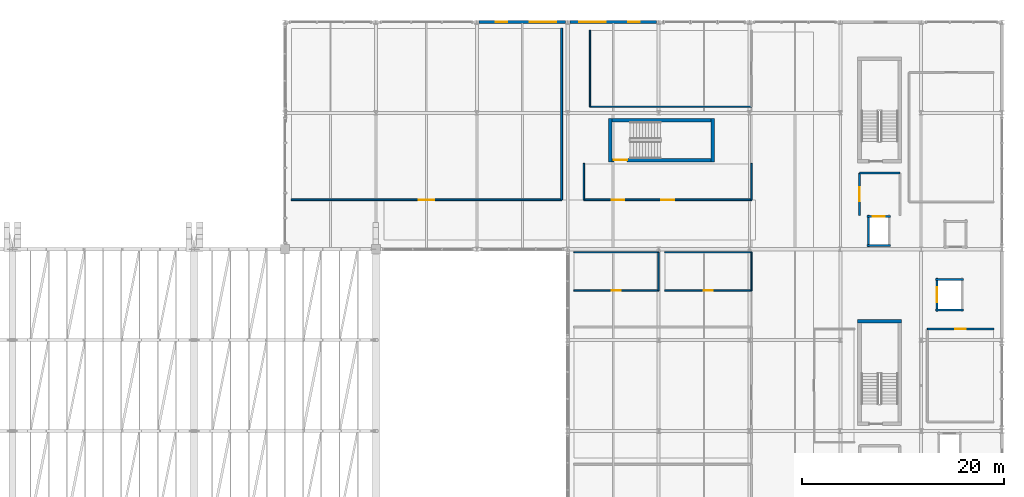
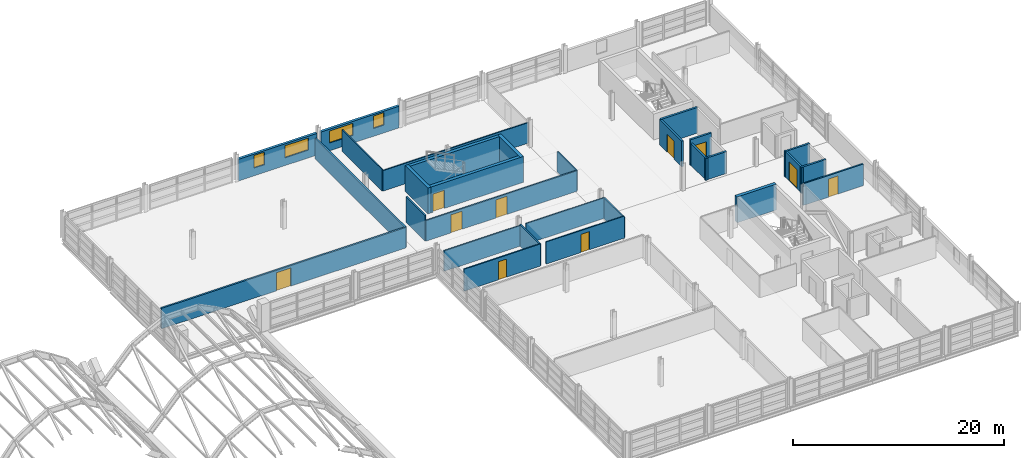
# One storey, part 79 of 86: 29 walls, 10 doors, 4 windows, 14 openings.
"""IFC4 building model written with IfcOpenShell, lengths in metres."""

from ifc_helpers import new_model, si_unit, direction, frame, frame_2d, origin, place, context, subcontext, project, spatial, rectangle, extrude, material, layer, layer_set, type_object, element, fill, save


model = new_model("IFC4")

# Units and contexts
model_context = context("Model", 3, precision=1e-05, world=origin(), true_north=direction((0.0, 1.0)))
body_context = subcontext(model_context, "Body", "Model", "MODEL_VIEW")
ifc_project = project(units=[si_unit("LENGTHUNIT", "METRE"), si_unit("AREAUNIT", "SQUARE_METRE"), si_unit("VOLUMEUNIT", "CUBIC_METRE"), si_unit("PLANEANGLEUNIT", "RADIAN"), si_unit("MASSUNIT", "GRAM", prefix="KILO")], contexts=[model_context])

# Site, building, storey
site_placement = place(None, origin())
site = spatial("IfcSite", under=ifc_project, at=site_placement, CompositionType="ELEMENT")
building_placement = place(site_placement, origin())
building = spatial("IfcBuilding", under=site, at=building_placement, Name="Chuanluo Vaults Station", CompositionType="ELEMENT")
storey_placement = place(building_placement, frame((0.0, 0.0, 14.39990234375)))
storey = spatial("IfcBuildingStorey", under=building, at=storey_placement, Name="L03", CompositionType="ELEMENT", Elevation=14.39990234375)

# Wall
ifc_material_1 = material(Name="Concrete C50", Category="concrete")
ifc_layer_1 = layer(ifc_material_1, 0.35009765625)
ifc_layer_set_1 = layer_set([ifc_layer_1], Name="Concrete C50")
wall_type_1 = type_object("IfcWallType", Name="WL-COR-350", PredefinedType="SHEAR", material=ifc_layer_set_1)
wall_1_placement = place(storey_placement, frame((178.03759765625, 96.347412109375, 0.0), z_axis=(0.0, 0.0, 1.0), x_axis=(-1.0, 0.0, 0.0)))
element("IfcWall", 1, at=wall_1_placement, inside=storey, type_object=wall_type_1, Name="Core K1 far shear wall", PredefinedType="SHEAR", context=body_context, shape_type="SweptSolid", body=[
    extrude(rectangle(XDim=4.320068359375, YDim=0.35009765625, at=frame_2d((2.16015625, 0.0))), origin(), (0.0, 0.0, 1.0), 3.0),
])

# Wall, opening, door
wall_2_placement = place(storey_placement, frame((149.02490234375, 112.324951171875, 0.0), z_axis=(0.0, 0.0, 1.0), x_axis=(1.0, 0.0, 0.0)))
wall_2 = element("IfcWall", 2, at=wall_2_placement, inside=storey, type_object=wall_type_1, Name="Core K3 left shear wall", PredefinedType="SHEAR", context=body_context, shape_type="SweptSolid", body=[
    extrude(rectangle(XDim=10.49755859375, YDim=0.35009765625, at=frame_2d((5.248779296875, 0.0))), origin(), (0.0, 0.0, 1.0), 3.0),
])
opening_1_placement = place(wall_2_placement, frame((0.550048828125, 0.0, 0.0)))
opening_1 = element("IfcOpeningElement", 3, at=opening_1_placement, cuts=wall_2, Name="Opening FD-05", PredefinedType="OPENING", context=body_context, shape_type="SweptSolid", body=[
    extrude(rectangle(XDim=1.300048828125, YDim=2.10009765625, at=frame_2d((0.64990234375, 1.050048828125))), frame((0.0, 0.18505, 0.0), z_axis=(0.0, -1.0, 0.0), x_axis=(1.0, 0.0, 0.0)), (0.0, 0.0, 1.0), 0.3701),
])
ifc_material_2 = material(Name="Fire-rated steel leaf", Category="steel")
door_type_1 = type_object("IfcDoorType", Name="DR-FIR-1300x2100", OperationType="NOTDEFINED", PredefinedType="DOOR", material=ifc_material_2)
door_1_placement = place(opening_1_placement, origin())
door_1 = element("IfcDoor", 4, at=door_1_placement, inside=storey, type_object=door_type_1, Name="D-076 Stair ST-03 fire door", OperationType="SINGLE_SWING_LEFT", OverallHeight=2.10009765625, OverallWidth=1.300048828125, PredefinedType="DOOR", context=body_context, shape_type="SweptSolid", body=[
    extrude(rectangle(XDim=1.300048828125, YDim=2.10009765625, at=frame_2d((0.64990234375, 1.050048828125))), frame((0.0, 0.02490234375, 0.0), z_axis=(0.0, -1.0, 0.0), x_axis=(1.0, 0.0, 0.0)), (0.0, 0.0, 1.0), 0.050048828125),
])
fill(opening_1, door_1)

# Walls
wall_3_placement = place(storey_placement, frame((159.5224609375, 116.294921875, 0.0), z_axis=(0.0, 0.0, 1.0), x_axis=(-1.0, 0.0, 0.0)))
element("IfcWall", 5, at=wall_3_placement, inside=storey, type_object=wall_type_1, Name="Core K3 right shear wall", PredefinedType="SHEAR", context=body_context, shape_type="SweptSolid", body=[
    extrude(rectangle(XDim=10.49755859375, YDim=0.35009765625, at=frame_2d((5.248779296875, 0.0))), origin(), (0.0, 0.0, 1.0), 3.0),
])
for number, where, z_axis, x_axis, name in (
    (6, (159.347412109375, 112.14990234375, 0.0), (0.0, 0.0, 1.0), (0.0, 1.0, 0.0), "Core K3 far shear wall"),
    (7, (149.199951171875, 116.469970703125, 0.0), (0.0, 0.0, 1.0), (0.0, -1.0, 0.0), "Core K3 near shear wall"),
):
    element("IfcWall", number, at=place(storey_placement, frame(where, z_axis=z_axis, x_axis=x_axis)), inside=storey, type_object=wall_type_1, Name=name, PredefinedType="SHEAR", context=body_context, shape_type="SweptSolid", body=[
        extrude(rectangle(XDim=4.320068359375, YDim=0.35009765625, at=frame_2d((2.16015625, 0.0))), origin(), (0.0, 0.0, 1.0), 3.0),
    ])

# Wall, openings, windows
ifc_material_3 = material(Name="Concrete C40", Category="concrete")
ifc_layer_2 = layer(ifc_material_3, 0.280029296875)
ifc_layer_set_2 = layer_set([ifc_layer_2], Name="Concrete C40")
wall_type_2 = type_object("IfcWallType", Name="WL-EXT-280", PredefinedType="SOLIDWALL", material=ifc_layer_set_2)
wall_4_placement = place(storey_placement, frame((136.199951171875, 126.0, 0.0), z_axis=(0.0, 0.0, 1.0), x_axis=(1.0, 0.0, 0.0)))
wall_4 = element("IfcWall", 8, at=wall_4_placement, inside=storey, type_object=wall_type_2, Name="L03 exterior punched wall 17", PredefinedType="SOLIDWALL", context=body_context, shape_type="SweptSolid", body=[
    extrude(rectangle(XDim=8.60009765625, YDim=0.280029296875, at=frame_2d((4.300048828125, 0.0))), origin(), (0.0, 0.0, 1.0), 2.51513671875),
])
opening_2_placement = place(wall_4_placement, frame((1.6650390625, 0.0, 0.89990234375)))
opening_2 = element("IfcOpeningElement", 9, at=opening_2_placement, cuts=wall_4, Name="Opening W-49", PredefinedType="OPENING", context=body_context, shape_type="SweptSolid", body=[
    extrude(rectangle(XDim=1.14990234375, YDim=1.449951171875, at=frame_2d((0.574951171875, 0.72509765625))), frame((0.0, 0.15014, 0.0), z_axis=(0.0, -1.0, 0.0), x_axis=(1.0, 0.0, 0.0)), (0.0, 0.0, 1.0), 0.30003),
])
opening_3_placement = place(wall_4_placement, frame((5.06005859375, 0.0, 0.89990234375)))
opening_3 = element("IfcOpeningElement", 10, at=opening_3_placement, cuts=wall_4, Name="Opening W-25", PredefinedType="OPENING", context=body_context, shape_type="SweptSolid", body=[
    extrude(rectangle(XDim=2.60009765625, YDim=1.39990234375, at=frame_2d((1.300048828125, 0.699951171875))), frame((0.0, 0.15014, 0.0), z_axis=(0.0, -1.0, 0.0), x_axis=(1.0, 0.0, 0.0)), (0.0, 0.0, 1.0), 0.30003),
])
ifc_material_4 = material(Name="Double-silver Low-E laminated glass", Category="glass")
window_type_1 = type_object("IfcWindowType", Name="WN-OBS-2600x1400", PartitioningType="SINGLE_PANEL", PredefinedType="WINDOW", material=ifc_material_4)
window_1_placement = place(opening_3_placement, origin())
window_1 = element("IfcWindow", 11, at=window_1_placement, inside=storey, type_object=window_type_1, Name="W-092 L03 facade window", OverallHeight=1.39990234375, OverallWidth=2.60009765625, PartitioningType="SINGLE_PANEL", PredefinedType="WINDOW", context=body_context, shape_type="SweptSolid", body=[
    extrude(rectangle(XDim=2.60009765625, YDim=1.39990234375, at=frame_2d((1.300048828125, 0.699951171875))), frame((0.0, 0.030029296875, 0.0), z_axis=(0.0, -1.0, 0.0), x_axis=(1.0, 0.0, 0.0)), (0.0, 0.0, 1.0), 0.06005859375),
])
fill(opening_3, window_1)
ifc_material_5 = material(Name="Double-silver Low-E laminated glass", Category="glass")
window_type_2 = type_object("IfcWindowType", Name="WN-OPS-1150x1450", PartitioningType="SINGLE_PANEL", PredefinedType="WINDOW", material=ifc_material_5)
window_2_placement = place(opening_2_placement, origin())
window_2 = element("IfcWindow", 12, at=window_2_placement, inside=storey, type_object=window_type_2, Name="W-091 L03 facade window", OverallHeight=1.449951171875, OverallWidth=1.14990234375, PartitioningType="SINGLE_PANEL", PredefinedType="WINDOW", context=body_context, shape_type="SweptSolid", body=[
    extrude(rectangle(XDim=1.14990234375, YDim=1.449951171875, at=frame_2d((0.574951171875, 0.72509765625))), frame((0.0, 0.030029296875, 0.0), z_axis=(0.0, -1.0, 0.0), x_axis=(1.0, 0.0, 0.0)), (0.0, 0.0, 1.0), 0.06005859375),
])
fill(opening_2, window_2)

wall_5_placement = place(storey_placement, frame((145.199951171875, 126.0, 0.0), z_axis=(0.0, 0.0, 1.0), x_axis=(1.0, 0.0, 0.0)))
wall_5 = element("IfcWall", 13, at=wall_5_placement, inside=storey, type_object=wall_type_2, Name="L03 exterior punched wall 18", PredefinedType="SOLIDWALL", context=body_context, shape_type="SweptSolid", body=[
    extrude(rectangle(XDim=8.60009765625, YDim=0.280029296875, at=frame_2d((4.300048828125, 0.0))), origin(), (0.0, 0.0, 1.0), 2.51513671875),
])
opening_4_placement = place(wall_5_placement, frame((0.93994140625, 0.0, 0.89990234375)))
opening_4 = element("IfcOpeningElement", 14, at=opening_4_placement, cuts=wall_5, Name="Opening W-25", PredefinedType="OPENING", context=body_context, shape_type="SweptSolid", body=[
    extrude(rectangle(XDim=2.60009765625, YDim=1.39990234375, at=frame_2d((1.300048828125, 0.699951171875))), frame((0.0, 0.15014, 0.0), z_axis=(0.0, -1.0, 0.0), x_axis=(1.0, 0.0, 0.0)), (0.0, 0.0, 1.0), 0.30003),
])
opening_5_placement = place(wall_5_placement, frame((5.784912109375, 0.0, 0.89990234375)))
opening_5 = element("IfcOpeningElement", 15, at=opening_5_placement, cuts=wall_5, Name="Opening W-49", PredefinedType="OPENING", context=body_context, shape_type="SweptSolid", body=[
    extrude(rectangle(XDim=1.14990234375, YDim=1.449951171875, at=frame_2d((0.574951171875, 0.72509765625))), frame((0.0, 0.15014, 0.0), z_axis=(0.0, -1.0, 0.0), x_axis=(1.0, 0.0, 0.0)), (0.0, 0.0, 1.0), 0.30003),
])
window_3_placement = place(opening_4_placement, origin())
window_3 = element("IfcWindow", 16, at=window_3_placement, inside=storey, type_object=window_type_1, Name="W-093 L03 facade window", OverallHeight=1.39990234375, OverallWidth=2.60009765625, PartitioningType="SINGLE_PANEL", PredefinedType="WINDOW", context=body_context, shape_type="SweptSolid", body=[
    extrude(rectangle(XDim=2.60009765625, YDim=1.39990234375, at=frame_2d((1.300048828125, 0.699951171875))), frame((0.0, 0.030029296875, 0.0), z_axis=(0.0, -1.0, 0.0), x_axis=(1.0, 0.0, 0.0)), (0.0, 0.0, 1.0), 0.06005859375),
])
fill(opening_4, window_3)
window_4_placement = place(opening_5_placement, origin())
window_4 = element("IfcWindow", 17, at=window_4_placement, inside=storey, type_object=window_type_2, Name="W-094 L03 facade window", OverallHeight=1.449951171875, OverallWidth=1.14990234375, PartitioningType="SINGLE_PANEL", PredefinedType="WINDOW", context=body_context, shape_type="SweptSolid", body=[
    extrude(rectangle(XDim=1.14990234375, YDim=1.449951171875, at=frame_2d((0.574951171875, 0.72509765625))), frame((0.0, 0.030029296875, 0.0), z_axis=(0.0, -1.0, 0.0), x_axis=(1.0, 0.0, 0.0)), (0.0, 0.0, 1.0), 0.06005859375),
])
fill(opening_5, window_4)

# Wall
ifc_material_6 = material(Name="Concrete C40", Category="concrete")
ifc_layer_3 = layer(ifc_material_6, 0.219970703125)
ifc_layer_set_3 = layer_set([ifc_layer_3], Name="Concrete C40")
wall_type_3 = type_object("IfcWallType", Name="WL-FIR-220", PredefinedType="SOLIDWALL", material=ifc_layer_set_3)
wall_6_placement = place(storey_placement, frame((173.89990234375, 111.050048828125, 0.0), z_axis=(0.0, 0.0, 1.0), x_axis=(1.0, 0.0, 0.0)))
element("IfcWall", 18, at=wall_6_placement, inside=storey, type_object=wall_type_3, Name="L03-FFL-K2 Firefighting Lift Lobby FFL-02 L03 N partition", PredefinedType="SOLIDWALL", context=body_context, shape_type="SweptSolid", body=[
    extrude(rectangle(XDim=4.0, YDim=0.219970703125, at=frame_2d((2.0, 0.0))), origin(), (0.0, 0.0, 1.0), 2.97509765625),
])

# Wall, opening, door
wall_7_placement = place(storey_placement, frame((173.89990234375, 106.85009765625, 0.0), z_axis=(0.0, 0.0, 1.0), x_axis=(0.0, 1.0, 0.0)))
wall_7 = element("IfcWall", 19, at=wall_7_placement, inside=storey, type_object=wall_type_3, Name="L03-FFL-K2 Firefighting Lift Lobby FFL-02 L03 W partition", PredefinedType="SOLIDWALL", context=body_context, shape_type="SweptSolid", body=[
    extrude(rectangle(XDim=4.199951171875, YDim=0.219970703125, at=frame_2d((2.10009765625, 0.0))), origin(), (0.0, 0.0, 1.0), 2.97509765625),
])
opening_6_placement = place(wall_7_placement, frame((1.39990234375, 0.0, 0.0)))
opening_6 = element("IfcOpeningElement", 20, at=opening_6_placement, cuts=wall_7, Name="Opening FD-04", PredefinedType="OPENING", context=body_context, shape_type="SweptSolid", body=[
    extrude(rectangle(XDim=1.39990234375, YDim=2.10009765625, at=frame_2d((0.699951171875, 1.050048828125))), frame((0.0, 0.11986, 0.0), z_axis=(0.0, -1.0, 0.0), x_axis=(1.0, 0.0, 0.0)), (0.0, 0.0, 1.0), 0.23997),
])
ifc_material_7 = material(Name="Fire-rated steel leaf", Category="steel")
door_type_2 = type_object("IfcDoorType", Name="DR-FIR-1400x2100", OperationType="NOTDEFINED", PredefinedType="DOOR", material=ifc_material_7)
door_2_placement = place(opening_6_placement, origin())
door_2 = element("IfcDoor", 21, at=door_2_placement, inside=storey, type_object=door_type_2, Name="D-278 Firefighting Lift Lobby FFL-02 L03 door", OperationType="SINGLE_SWING_LEFT", OverallHeight=2.10009765625, OverallWidth=1.39990234375, PredefinedType="DOOR", context=body_context, shape_type="SweptSolid", body=[
    extrude(rectangle(XDim=1.39990234375, YDim=2.10009765625, at=frame_2d((0.699951171875, 1.050048828125))), frame((0.0, 0.02490234375, 0.0), z_axis=(0.0, -1.0, 0.0), x_axis=(1.0, 0.0, 0.0)), (0.0, 0.0, 1.0), 0.050048828125),
])
fill(opening_6, door_2)

# Walls
ifc_material_8 = material(Name="Masonry blockwork M10", Category="masonry")
ifc_layer_4 = layer(ifc_material_8, 0.1201171875)
ifc_layer_set_4 = layer_set([ifc_layer_4], Name="Masonry blockwork M10")
wall_type_4 = type_object("IfcWallType", Name="WL-PRT-120", PredefinedType="PARTITIONING", material=ifc_layer_set_4)
wall_8_placement = place(storey_placement, frame((163.199951171875, 117.60009765625, 0.0), z_axis=(0.0, 0.0, 1.0), x_axis=(-1.0, 0.0, 0.0)))
element("IfcWall", 22, at=wall_8_placement, inside=storey, type_object=wall_type_4, Name="L03-21 North Administration Annex S partition", PredefinedType="PARTITIONING", context=body_context, shape_type="SweptSolid", body=[
    extrude(rectangle(XDim=16.0, YDim=0.1201171875, at=frame_2d((8.0, 0.0))), origin(), (0.0, 0.0, 1.0), 2.375),
])
wall_9_placement = place(storey_placement, frame((147.199951171875, 117.60009765625, 0.0), z_axis=(0.0, 0.0, 1.0), x_axis=(0.0, 1.0, 0.0)))
element("IfcWall", 23, at=wall_9_placement, inside=storey, type_object=wall_type_4, Name="L03-21 North Administration Annex W partition", PredefinedType="PARTITIONING", context=body_context, shape_type="SweptSolid", body=[
    extrude(rectangle(XDim=7.599853515625, YDim=0.1201171875, at=frame_2d((3.7998046875, 0.0))), origin(), (0.0, 0.0, 1.0), 2.51513671875),
])

# Wall, opening, door
ifc_material_9 = material(Name="Masonry blockwork M10", Category="masonry")
ifc_layer_5 = layer(ifc_material_9, 0.1298828125)
ifc_layer_set_5 = layer_set([ifc_layer_5], Name="Masonry blockwork M10")
wall_type_5 = type_object("IfcWallType", Name="WL-PRT-130", PredefinedType="PARTITIONING", material=ifc_layer_set_5)
wall_10_placement = place(storey_placement, frame((163.199951171875, 99.39990234375, 0.0), z_axis=(0.0, 0.0, 1.0), x_axis=(-1.0, 0.0, 0.0)))
wall_10 = element("IfcWall", 24, at=wall_10_placement, inside=storey, type_object=wall_type_5, Name="L03-13 Level 3 Female Toilet S partition", PredefinedType="PARTITIONING", context=body_context, shape_type="SweptSolid", body=[
    extrude(rectangle(XDim=8.599853515625, YDim=0.1298828125, at=frame_2d((4.2998046875, 0.0))), origin(), (0.0, 0.0, 1.0), 2.55517578125),
])
opening_7_placement = place(wall_10_placement, frame((3.85009765625, 0.0, 0.0)))
opening_7 = element("IfcOpeningElement", 25, at=opening_7_placement, cuts=wall_10, Name="Opening D-WC1", PredefinedType="OPENING", context=body_context, shape_type="SweptSolid", body=[
    extrude(rectangle(XDim=0.89990234375, YDim=2.10009765625, at=frame_2d((0.449951171875, 1.050048828125))), frame((0.0, 0.07494, 0.0), z_axis=(0.0, -1.0, 0.0), x_axis=(1.0, 0.0, 0.0)), (0.0, 0.0, 1.0), 0.14988),
])
ifc_material_10 = material(Name="Anodised aluminium 6063-T6", Category="aluminium")
door_type_3 = type_object("IfcDoorType", Name="DR-WC-0900x2100", OperationType="NOTDEFINED", PredefinedType="DOOR", material=ifc_material_10)
door_3_placement = place(opening_7_placement, origin())
door_3 = element("IfcDoor", 26, at=door_3_placement, inside=storey, type_object=door_type_3, Name="D-230 Level 3 Female Toilet door", OperationType="SINGLE_SWING_LEFT", OverallHeight=2.10009765625, OverallWidth=0.89990234375, PredefinedType="DOOR", context=body_context, shape_type="SweptSolid", body=[
    extrude(rectangle(XDim=0.89990234375, YDim=2.10009765625, at=frame_2d((0.449951171875, 1.050048828125))), frame((0.0, 0.02490234375, 0.0), z_axis=(0.0, -1.0, 0.0), x_axis=(1.0, 0.0, 0.0)), (0.0, 0.0, 1.0), 0.050048828125),
])
fill(opening_7, door_3)

# Walls
wall_11_placement = place(storey_placement, frame((154.60009765625, 103.199951171875, 0.0), z_axis=(0.0, 0.0, 1.0), x_axis=(1.0, 0.0, 0.0)))
element("IfcWall", 27, at=wall_11_placement, inside=storey, type_object=wall_type_5, Name="L03-13 Level 3 Female Toilet N partition", PredefinedType="PARTITIONING", context=body_context, shape_type="SweptSolid", body=[
    extrude(rectangle(XDim=8.599853515625, YDim=0.1298828125, at=frame_2d((4.2998046875, 0.0))), origin(), (0.0, 0.0, 1.0), 2.375),
])
wall_12_placement = place(storey_placement, frame((163.199951171875, 103.199951171875, 0.0), z_axis=(0.0, 0.0, 1.0), x_axis=(0.0, -1.0, 0.0)))
element("IfcWall", 28, at=wall_12_placement, inside=storey, type_object=wall_type_5, Name="L03-13 Level 3 Female Toilet E partition", PredefinedType="PARTITIONING", context=body_context, shape_type="SweptSolid", body=[
    extrude(rectangle(XDim=3.800048828125, YDim=0.1298828125, at=frame_2d((1.89990234375, 0.0))), origin(), (0.0, 0.0, 1.0), 2.375),
])

# Wall, opening, door
ifc_material_11 = material(Name="Autoclaved aerated concrete blockwork MU10", Category="masonry")
ifc_layer_6 = layer(ifc_material_11, 0.139892578125)
ifc_layer_set_6 = layer_set([ifc_layer_6], Name="Autoclaved aerated concrete blockwork MU10")
wall_type_6 = type_object("IfcWallType", Name="WL-PRT-140", PredefinedType="PARTITIONING", material=ifc_layer_set_6)
wall_13_placement = place(storey_placement, frame((154.0, 99.39990234375, 0.0), z_axis=(0.0, 0.0, 1.0), x_axis=(-1.0, 0.0, 0.0)))
wall_13 = element("IfcWall", 29, at=wall_13_placement, inside=storey, type_object=wall_type_6, Name="L03-12 Level 3 Male Toilet S partition", PredefinedType="PARTITIONING", context=body_context, shape_type="SweptSolid", body=[
    extrude(rectangle(XDim=8.39990234375, YDim=0.139892578125, at=frame_2d((4.199951171875, 0.0))), origin(), (0.0, 0.0, 1.0), 2.55517578125),
])
opening_8_placement = place(wall_13_placement, frame((3.75, 0.0, 0.0)))
opening_8 = element("IfcOpeningElement", 30, at=opening_8_placement, cuts=wall_13, Name="Opening D-WC1", PredefinedType="OPENING", context=body_context, shape_type="SweptSolid", body=[
    extrude(rectangle(XDim=0.89990234375, YDim=2.10009765625, at=frame_2d((0.449951171875, 1.050048828125))), frame((0.0, 0.07982, 0.0), z_axis=(0.0, -1.0, 0.0), x_axis=(1.0, 0.0, 0.0)), (0.0, 0.0, 1.0), 0.15989),
])
door_4_placement = place(opening_8_placement, origin())
door_4 = element("IfcDoor", 31, at=door_4_placement, inside=storey, type_object=door_type_3, Name="D-229 Level 3 Male Toilet door", OperationType="SINGLE_SWING_RIGHT", OverallHeight=2.10009765625, OverallWidth=0.89990234375, PredefinedType="DOOR", context=body_context, shape_type="SweptSolid", body=[
    extrude(rectangle(XDim=0.89990234375, YDim=2.10009765625, at=frame_2d((0.449951171875, 1.050048828125))), frame((0.0, 0.02490234375, 0.0), z_axis=(0.0, -1.0, 0.0), x_axis=(1.0, 0.0, 0.0)), (0.0, 0.0, 1.0), 0.050048828125),
])
fill(opening_8, door_4)

# Walls
wall_14_placement = place(storey_placement, frame((145.60009765625, 103.199951171875, 0.0), z_axis=(0.0, 0.0, 1.0), x_axis=(1.0, 0.0, 0.0)))
element("IfcWall", 32, at=wall_14_placement, inside=storey, type_object=wall_type_6, Name="L03-12 Level 3 Male Toilet N partition", PredefinedType="PARTITIONING", context=body_context, shape_type="SweptSolid", body=[
    extrude(rectangle(XDim=8.39990234375, YDim=0.139892578125, at=frame_2d((4.199951171875, 0.0))), origin(), (0.0, 0.0, 1.0), 2.375),
])
wall_15_placement = place(storey_placement, frame((154.0, 103.199951171875, 0.0), z_axis=(0.0, 0.0, 1.0), x_axis=(0.0, -1.0, 0.0)))
element("IfcWall", 33, at=wall_15_placement, inside=storey, type_object=wall_type_6, Name="L03-12 Level 3 Male Toilet E partition", PredefinedType="PARTITIONING", context=body_context, shape_type="SweptSolid", body=[
    extrude(rectangle(XDim=3.800048828125, YDim=0.139892578125, at=frame_2d((1.89990234375, 0.0))), origin(), (0.0, 0.0, 1.0), 2.505126953125),
])

# Wall, openings, doors
ifc_material_12 = material(Name="Autoclaved aerated concrete blockwork MU10", Category="masonry")
ifc_layer_7 = layer(ifc_material_12, 0.14990234375)
ifc_layer_set_7 = layer_set([ifc_layer_7], Name="Autoclaved aerated concrete blockwork MU10")
wall_type_7 = type_object("IfcWallType", Name="WL-PRT-150", PredefinedType="PARTITIONING", material=ifc_layer_set_7)
wall_16_placement = place(storey_placement, frame((163.199951171875, 108.39990234375, 0.0), z_axis=(0.0, 0.0, 1.0), x_axis=(-1.0, 0.0, 0.0)))
wall_16 = element("IfcWall", 34, at=wall_16_placement, inside=storey, type_object=wall_type_7, Name="L03-11 Operations Conference Suite B S partition", PredefinedType="PARTITIONING", context=body_context, shape_type="SweptSolid", body=[
    extrude(rectangle(XDim=16.599853515625, YDim=0.14990234375, at=frame_2d((8.2998046875, 0.0))), origin(), (0.0, 0.0, 1.0), 2.375),
])
opening_9_placement = place(wall_16_placement, frame((7.675048828125, 0.0, 0.0)))
opening_9 = element("IfcOpeningElement", 35, at=opening_9_placement, cuts=wall_16, Name="Opening D-I05", PredefinedType="OPENING", context=body_context, shape_type="SweptSolid", body=[
    extrude(rectangle(XDim=1.25, YDim=2.10009765625, at=frame_2d((0.625, 1.050048828125))), frame((0.0, 0.08495, 0.0), z_axis=(0.0, -1.0, 0.0), x_axis=(1.0, 0.0, 0.0)), (0.0, 0.0, 1.0), 0.1699),
])
opening_10_placement = place(wall_16_placement, frame((12.615966796875, 0.0, 0.0)))
opening_10 = element("IfcOpeningElement", 36, at=opening_10_placement, cuts=wall_16, Name="Opening D-I05", PredefinedType="OPENING", context=body_context, shape_type="SweptSolid", body=[
    extrude(rectangle(XDim=1.25, YDim=2.10009765625, at=frame_2d((0.625, 1.050048828125))), frame((0.0, 0.08495, 0.0), z_axis=(0.0, -1.0, 0.0), x_axis=(1.0, 0.0, 0.0)), (0.0, 0.0, 1.0), 0.1699),
])
ifc_material_13 = material(Name="Anodised aluminium 6063-T6", Category="aluminium")
door_type_4 = type_object("IfcDoorType", Name="DR-INT-1250x2100", OperationType="NOTDEFINED", PredefinedType="DOOR", material=ifc_material_13)
door_5_placement = place(opening_9_placement, origin())
door_5 = element("IfcDoor", 37, at=door_5_placement, inside=storey, type_object=door_type_4, Name="D-227 Operations Conference Suite B door", OperationType="SINGLE_SWING_RIGHT", OverallHeight=2.10009765625, OverallWidth=1.25, PredefinedType="DOOR", context=body_context, shape_type="SweptSolid", body=[
    extrude(rectangle(XDim=1.25, YDim=2.10009765625, at=frame_2d((0.625, 1.050048828125))), frame((0.0, 0.02490234375, 0.0), z_axis=(0.0, -1.0, 0.0), x_axis=(1.0, 0.0, 0.0)), (0.0, 0.0, 1.0), 0.050048828125),
])
fill(opening_9, door_5)
door_6_placement = place(opening_10_placement, origin())
door_6 = element("IfcDoor", 38, at=door_6_placement, inside=storey, type_object=door_type_4, Name="D-228 Operations Conference Suite B secondary exit door", OperationType="SINGLE_SWING_LEFT", OverallHeight=2.10009765625, OverallWidth=1.25, PredefinedType="DOOR", context=body_context, shape_type="SweptSolid", body=[
    extrude(rectangle(XDim=1.25, YDim=2.10009765625, at=frame_2d((0.625, 1.050048828125))), frame((0.0, 0.02490234375, 0.0), z_axis=(0.0, -1.0, 0.0), x_axis=(1.0, 0.0, 0.0)), (0.0, 0.0, 1.0), 0.050048828125),
])
fill(opening_10, door_6)

# Walls
wall_17_placement = place(storey_placement, frame((146.60009765625, 108.39990234375, 0.0), z_axis=(0.0, 0.0, 1.0), x_axis=(0.0, 1.0, 0.0)))
element("IfcWall", 39, at=wall_17_placement, inside=storey, type_object=wall_type_7, Name="L03-11 Operations Conference Suite B W partition", PredefinedType="PARTITIONING", context=body_context, shape_type="SweptSolid", body=[
    extrude(rectangle(XDim=3.60009765625, YDim=0.14990234375, at=frame_2d((1.800048828125, 0.0))), origin(), (0.0, 0.0, 1.0), 2.97509765625),
])
wall_18_placement = place(storey_placement, frame((163.199951171875, 112.0, 0.0), z_axis=(0.0, 0.0, 1.0), x_axis=(0.0, -1.0, 0.0)))
element("IfcWall", 40, at=wall_18_placement, inside=storey, type_object=wall_type_7, Name="L03-11 Operations Conference Suite B E partition", PredefinedType="PARTITIONING", context=body_context, shape_type="SweptSolid", body=[
    extrude(rectangle(XDim=3.60009765625, YDim=0.14990234375, at=frame_2d((1.800048828125, 0.0))), origin(), (0.0, 0.0, 1.0), 2.375),
])

# Wall, opening, door
ifc_material_14 = material(Name="Autoclaved aerated concrete blockwork MU10", Category="masonry")
ifc_layer_8 = layer(ifc_material_14, 0.159912109375)
ifc_layer_set_8 = layer_set([ifc_layer_8], Name="Autoclaved aerated concrete blockwork MU10")
wall_type_8 = type_object("IfcWallType", Name="WL-PRT-160", PredefinedType="PARTITIONING", material=ifc_layer_set_8)
wall_19_placement = place(storey_placement, frame((180.60009765625, 95.60009765625, 0.0), z_axis=(0.0, 0.0, 1.0), x_axis=(1.0, 0.0, 0.0)))
wall_19 = element("IfcWall", 41, at=wall_19_placement, inside=storey, type_object=wall_type_8, Name="L03-18 Staff Pantry and Break Lounge N partition", PredefinedType="PARTITIONING", context=body_context, shape_type="SweptSolid", body=[
    extrude(rectangle(XDim=6.599853515625, YDim=0.159912109375, at=frame_2d((3.2998046875, 0.0))), origin(), (0.0, 0.0, 1.0), 2.51513671875),
])
opening_11_placement = place(wall_19_placement, frame((2.77490234375, 0.0, 0.0)))
opening_11 = element("IfcOpeningElement", 42, at=opening_11_placement, cuts=wall_19, Name="Opening D-I07", PredefinedType="OPENING", context=body_context, shape_type="SweptSolid", body=[
    extrude(rectangle(XDim=1.050048828125, YDim=2.10009765625, at=frame_2d((0.52490234375, 1.050048828125))), frame((0.0, 0.09008, 0.0), z_axis=(0.0, -1.0, 0.0), x_axis=(1.0, 0.0, 0.0)), (0.0, 0.0, 1.0), 0.17991),
])
ifc_material_15 = material(Name="Anodised aluminium 6063-T6", Category="aluminium")
door_type_5 = type_object("IfcDoorType", Name="DR-INT-1050x2100", OperationType="NOTDEFINED", PredefinedType="DOOR", material=ifc_material_15)
door_7_placement = place(opening_11_placement, origin())
door_7 = element("IfcDoor", 43, at=door_7_placement, inside=storey, type_object=door_type_5, Name="D-233 Staff Pantry and Break Lounge door", OperationType="SINGLE_SWING_RIGHT", OverallHeight=2.10009765625, OverallWidth=1.050048828125, PredefinedType="DOOR", context=body_context, shape_type="SweptSolid", body=[
    extrude(rectangle(XDim=1.050048828125, YDim=2.10009765625, at=frame_2d((0.52490234375, 1.050048828125))), frame((0.0, 0.02490234375, 0.0), z_axis=(0.0, -1.0, 0.0), x_axis=(1.0, 0.0, 0.0)), (0.0, 0.0, 1.0), 0.050048828125),
])
fill(opening_11, door_7)

ifc_material_16 = material(Name="Autoclaved aerated concrete blockwork MU10", Category="masonry")
ifc_layer_9 = layer(ifc_material_16, 0.18994140625)
ifc_layer_set_9 = layer_set([ifc_layer_9], Name="Autoclaved aerated concrete blockwork MU10")
wall_type_9 = type_object("IfcWallType", Name="WL-PRT-190", PredefinedType="PARTITIONING", material=ifc_layer_set_9)
wall_20_placement = place(storey_placement, frame((144.39990234375, 108.39990234375, 0.0), z_axis=(0.0, 0.0, 1.0), x_axis=(-1.0, 0.0, 0.0)))
wall_20 = element("IfcWall", 44, at=wall_20_placement, inside=storey, type_object=wall_type_9, Name="L03-08 Station Administration Open Office S partition", PredefinedType="PARTITIONING", context=body_context, shape_type="SweptSolid", body=[
    extrude(rectangle(XDim=26.7998046875, YDim=0.18994140625, at=frame_2d((13.39990234375, 0.0))), origin(), (0.0, 0.0, 1.0), 2.375),
])
opening_12_placement = place(wall_20_placement, frame((12.625, 0.0, 0.0)))
opening_12 = element("IfcOpeningElement", 45, at=opening_12_placement, cuts=wall_20, Name="Opening D-I03", PredefinedType="OPENING", context=body_context, shape_type="SweptSolid", body=[
    extrude(rectangle(XDim=1.550048828125, YDim=2.10009765625, at=frame_2d((0.77490234375, 1.050048828125))), frame((0.0, 0.10497, 0.0), z_axis=(0.0, -1.0, 0.0), x_axis=(1.0, 0.0, 0.0)), (0.0, 0.0, 1.0), 0.20994),
])
ifc_material_17 = material(Name="Anodised aluminium 6063-T6", Category="aluminium")
door_type_6 = type_object("IfcDoorType", Name="DR-INT-1550x2100", OperationType="NOTDEFINED", PredefinedType="DOOR", material=ifc_material_17)
door_8_placement = place(opening_12_placement, origin())
door_8 = element("IfcDoor", 46, at=door_8_placement, inside=storey, type_object=door_type_6, Name="D-223 Station Administration Open Office door", OperationType="SINGLE_SWING_RIGHT", OverallHeight=2.10009765625, OverallWidth=1.550048828125, PredefinedType="DOOR", context=body_context, shape_type="SweptSolid", body=[
    extrude(rectangle(XDim=1.550048828125, YDim=2.10009765625, at=frame_2d((0.77490234375, 1.050048828125))), frame((0.0, 0.02490234375, 0.0), z_axis=(0.0, -1.0, 0.0), x_axis=(1.0, 0.0, 0.0)), (0.0, 0.0, 1.0), 0.050048828125),
])
fill(opening_12, door_8)

# Walls
wall_21_placement = place(storey_placement, frame((144.39990234375, 125.39990234375, 0.0), z_axis=(0.0, 0.0, 1.0), x_axis=(0.0, -1.0, 0.0)))
element("IfcWall", 47, at=wall_21_placement, inside=storey, type_object=wall_type_9, Name="L03-08 Station Administration Open Office E partition", PredefinedType="PARTITIONING", context=body_context, shape_type="SweptSolid", body=[
    extrude(rectangle(XDim=17.0, YDim=0.18994140625, at=frame_2d((8.5, 0.0))), origin(), (0.0, 0.0, 1.0), 2.375),
])
ifc_material_18 = material(Name="Concrete C40", Category="concrete")
ifc_layer_10 = layer(ifc_material_18, 0.199951171875)
ifc_layer_set_10 = layer_set([ifc_layer_10], Name="Concrete C40")
wall_type_10 = type_object("IfcWallType", Name="WL-SHF-200", PredefinedType="SOLIDWALL", material=ifc_layer_set_10)
wall_22_placement = place(storey_placement, frame((174.6298828125, 103.8798828125, 0.0), z_axis=(0.0, 0.0, 1.0), x_axis=(1.0, 0.0, 0.0)))
element("IfcWall", 48, at=wall_22_placement, inside=storey, type_object=wall_type_10, Name="Lift FFL-02 shaft wall L03 -Y", PredefinedType="SOLIDWALL", context=body_context, shape_type="SweptSolid", body=[
    extrude(rectangle(XDim=2.340087890625, YDim=0.199951171875, at=frame_2d((1.169921875, 0.0))), origin(), (0.0, 0.0, 1.0), 2.53515625),
])

# Wall, opening, door
wall_23_placement = place(storey_placement, frame((176.969970703125, 106.719970703125, 0.0), z_axis=(0.0, 0.0, 1.0), x_axis=(-1.0, 0.0, 0.0)))
wall_23 = element("IfcWall", 49, at=wall_23_placement, inside=storey, type_object=wall_type_10, Name="Lift FFL-02 shaft wall L03 +Y", PredefinedType="SOLIDWALL", context=body_context, shape_type="SweptSolid", body=[
    extrude(rectangle(XDim=2.340087890625, YDim=0.199951171875, at=frame_2d((1.169921875, 0.0))), origin(), (0.0, 0.0, 1.0), 2.97509765625),
])
opening_13_placement = place(wall_23_placement, frame((0.570068359375, 0.0, 0.0)))
opening_13 = element("IfcOpeningElement", 50, at=opening_13_placement, cuts=wall_23, Name="Opening LD-02", PredefinedType="OPENING", context=body_context, shape_type="SweptSolid", body=[
    extrude(rectangle(XDim=1.199951171875, YDim=2.14990234375, at=frame_2d((0.60009765625, 1.074951171875))), frame((0.0, 0.1101, 0.0), z_axis=(0.0, -1.0, 0.0), x_axis=(1.0, 0.0, 0.0)), (0.0, 0.0, 1.0), 0.21995),
])
ifc_material_19 = material(Name="Brushed stainless steel 304", Category="steel")
door_type_7 = type_object("IfcDoorType", Name="DR-LFT-1200x2150", OperationType="SLIDING_TO_LEFT", PredefinedType="DOOR", material=ifc_material_19)
door_9_placement = place(opening_13_placement, origin())
door_9 = element("IfcDoor", 51, at=door_9_placement, inside=storey, type_object=door_type_7, Name="LD-FFL-02-05 Lift FFL-02 sliding landing door L03", OperationType="SLIDING_TO_LEFT", OverallHeight=2.14990234375, OverallWidth=1.199951171875, PredefinedType="DOOR", context=body_context, shape_type="SweptSolid", body=[
    extrude(rectangle(XDim=1.199951171875, YDim=2.14990234375, at=frame_2d((0.60009765625, 1.074951171875))), frame((0.0, 0.02490234375, 0.0), z_axis=(0.0, -1.0, 0.0), x_axis=(1.0, 0.0, 0.0)), (0.0, 0.0, 1.0), 0.050048828125),
])
fill(opening_13, door_9)

# Walls
wall_24_placement = place(storey_placement, frame((174.780029296875, 106.8701171875, 0.0), z_axis=(0.0, 0.0, 1.0), x_axis=(0.0, -1.0, 0.0)))
element("IfcWall", 52, at=wall_24_placement, inside=storey, type_object=wall_type_10, Name="Lift FFL-02 shaft wall L03 -X", PredefinedType="SOLIDWALL", context=body_context, shape_type="SweptSolid", body=[
    extrude(rectangle(XDim=3.14013671875, YDim=0.199951171875, at=frame_2d((1.570068359375, 0.0))), origin(), (0.0, 0.0, 1.0), 2.53515625),
])
for number, where, z_axis, x_axis, name in (
    (53, (181.429931640625, 97.47998046875, 0.0), (0.0, 0.0, 1.0), (1.0, 0.0, 0.0), "Lift GL-02 shaft wall L03 -Y"),
    (54, (184.169921875, 100.52001953125, 0.0), (0.0, 0.0, 1.0), (-1.0, 0.0, 0.0), "Lift GL-02 shaft wall L03 +Y"),
):
    element("IfcWall", number, at=place(storey_placement, frame(where, z_axis=z_axis, x_axis=x_axis)), inside=storey, type_object=wall_type_10, Name=name, PredefinedType="SOLIDWALL", context=body_context, shape_type="SweptSolid", body=[
        extrude(rectangle(XDim=2.739990234375, YDim=0.199951171875, at=frame_2d((1.3701171875, 0.0))), origin(), (0.0, 0.0, 1.0), 2.97509765625),
    ])

# Wall, opening, door
wall_25_placement = place(storey_placement, frame((181.580078125, 100.669921875, 0.0), z_axis=(0.0, 0.0, 1.0), x_axis=(0.0, -1.0, 0.0)))
wall_25 = element("IfcWall", 55, at=wall_25_placement, inside=storey, type_object=wall_type_10, Name="Lift GL-02 shaft wall L03 -X", PredefinedType="SOLIDWALL", context=body_context, shape_type="SweptSolid", body=[
    extrude(rectangle(XDim=3.33984375, YDim=0.199951171875, at=frame_2d((1.669921875, 0.0))), origin(), (0.0, 0.0, 1.0), 2.97509765625),
])
opening_14_placement = place(wall_25_placement, frame((0.919921875, 0.0, 0.0)))
opening_14 = element("IfcOpeningElement", 56, at=opening_14_placement, cuts=wall_25, Name="Opening LD-03", PredefinedType="OPENING", context=body_context, shape_type="SweptSolid", body=[
    extrude(rectangle(XDim=1.5, YDim=2.199951171875, at=frame_2d((0.75, 1.10009765625))), frame((0.0, 0.1101, 0.0), z_axis=(0.0, -1.0, 0.0), x_axis=(1.0, 0.0, 0.0)), (0.0, 0.0, 1.0), 0.21995),
])
ifc_material_20 = material(Name="Brushed stainless steel 304", Category="steel")
door_type_8 = type_object("IfcDoorType", Name="DR-LFT-1500x2200", OperationType="SLIDING_TO_LEFT", PredefinedType="DOOR", material=ifc_material_20)
door_10_placement = place(opening_14_placement, origin())
door_10 = element("IfcDoor", 57, at=door_10_placement, inside=storey, type_object=door_type_8, Name="LD-GL-02-05 Lift GL-02 sliding landing door L03", OperationType="SLIDING_TO_LEFT", OverallHeight=2.199951171875, OverallWidth=1.5, PredefinedType="DOOR", context=body_context, shape_type="SweptSolid", body=[
    extrude(rectangle(XDim=1.5, YDim=2.199951171875, at=frame_2d((0.75, 1.10009765625))), frame((0.0, 0.02490234375, 0.0), z_axis=(0.0, -1.0, 0.0), x_axis=(1.0, 0.0, 0.0)), (0.0, 0.0, 1.0), 0.050048828125),
])
fill(opening_14, door_10)

save(model, "model.ifc")
